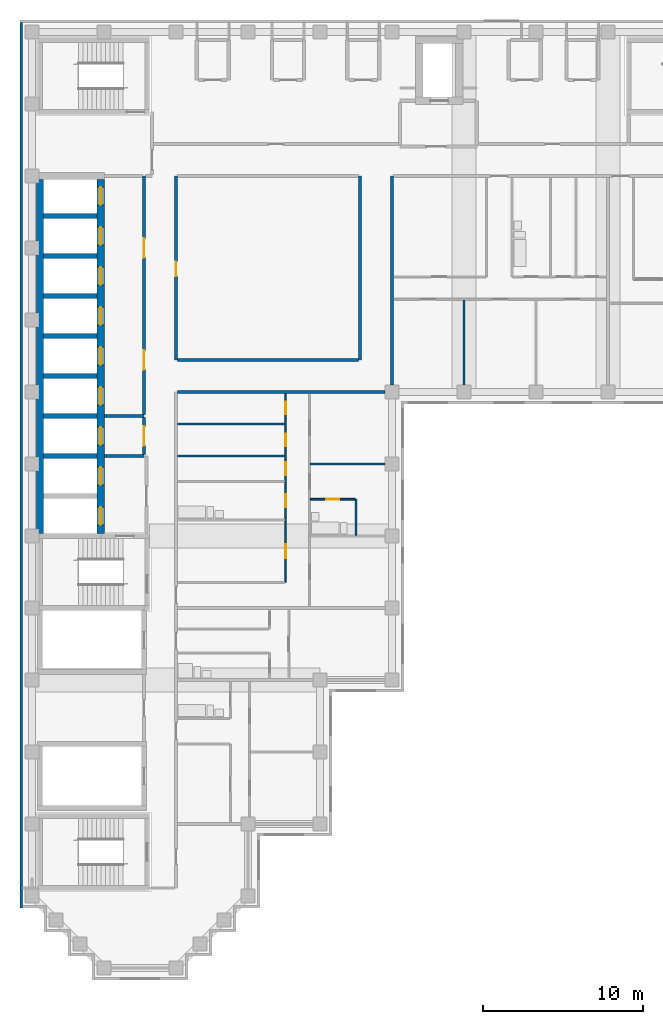
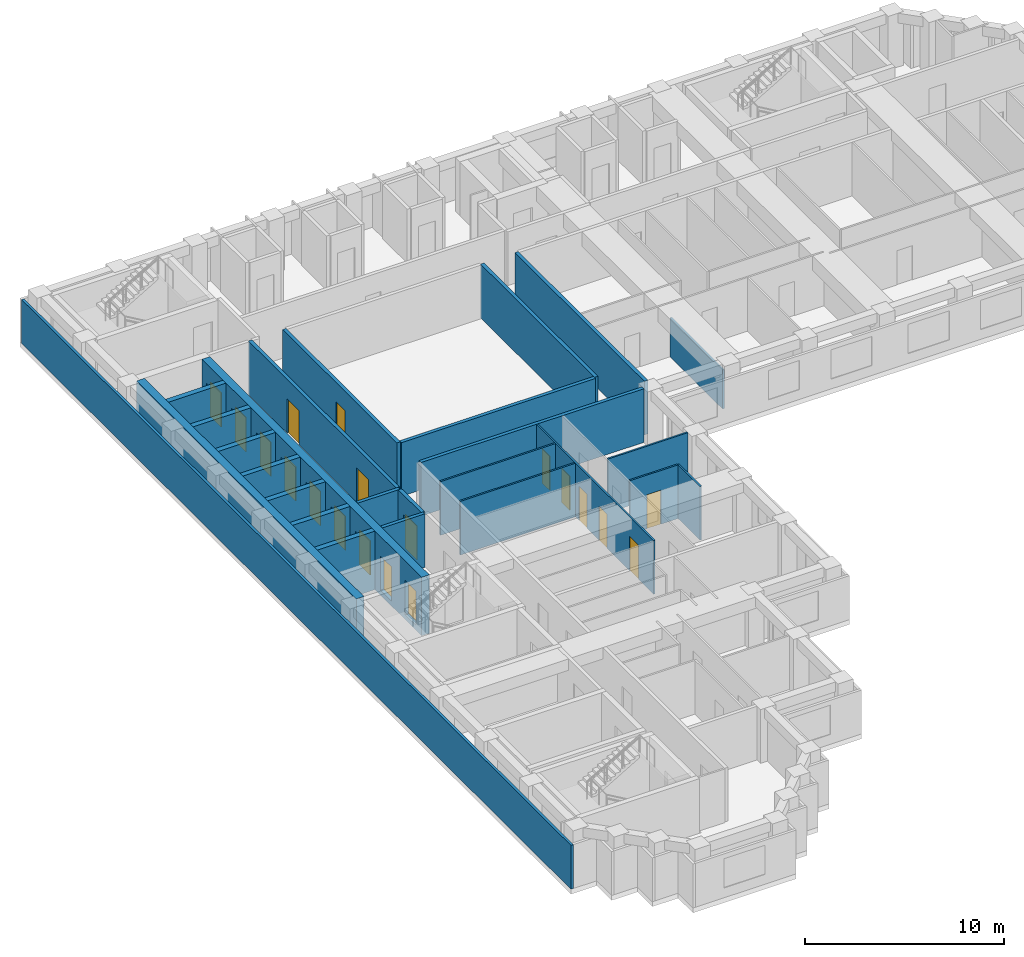
# One storey, part 4 of 10: 26 walls, 19 doors, 19 openings.
"""IFC4 building model written with IfcOpenShell, lengths in metres."""

import ifcopenshell
import ifcopenshell.guid

model = None  # the IFC model being written
_history = None  # IfcOwnerHistory: only IFC2X3 demands one
_inside = {}  # id of a spatial element -> (the spatial element, [elements in it])
_under = {}  # id of a project, library or spatial element -> (it, [spatial elements below it])
_declared = {}  # id of a project -> (the project, [libraries it declares])
_typed = {}  # id of a type object -> (the type object, [elements of that type])
_made_of = {}  # id of a material, layer set ... -> (it, [elements and type objects made of it])


def new_model(schema):
    """Start an empty IFC model of exactly this schema.

    Asked for "IFC4X3", IfcOpenShell would pick the latest addendum, in which some entities
    have other attributes; the version numbers below select the first issue.
    IFC2X3 requires an IfcOwnerHistory on every rooted entity: one is made here for all.
    """
    global model, _history
    if schema == "IFC4X3":
        model = ifcopenshell.file(schema_version=(4, 3, 0, 0))
    else:
        model = ifcopenshell.file(schema=schema)
    _inside.clear()
    _under.clear()
    _declared.clear()
    _typed.clear()
    _made_of.clear()
    _history = None
    if model.schema == "IFC2X3":
        org = make("IfcOrganization", Name="unknown")
        user = make(
            "IfcPersonAndOrganization",
            ThePerson=make("IfcPerson", FamilyName="unknown"),
            TheOrganization=org,
        )
        app = make(
            "IfcApplication",
            ApplicationDeveloper=org,
            Version="unknown",
            ApplicationFullName="unknown",
            ApplicationIdentifier="unknown",
        )
        _history = make(
            "IfcOwnerHistory",
            OwningUser=user,
            OwningApplication=app,
            ChangeAction="ADDED",
            CreationDate=0,
        )
    return model


def make(cls, **values):
    """One entity of the class cls with the attributes given. An attribute that is None is left unset."""
    return model.create_entity(
        cls, **{name: value for name, value in values.items() if value is not None}
    )


def rooted(cls, **values):
    """An entity with a GlobalId (a new one), such as an element, a storey or a relation."""
    return make(cls, GlobalId=ifcopenshell.guid.new(), OwnerHistory=_history, **values)


def si_unit(unit_type, name, prefix=None):
    """IfcSIUnit, for example si_unit("LENGTHUNIT", "METRE", prefix="MILLI")."""
    return make("IfcSIUnit", UnitType=unit_type, Prefix=prefix, Name=name)


def assignment(units):
    """IfcUnitAssignment: the units of a project."""
    return None if units is None else make("IfcUnitAssignment", Units=units)


def point(xyz):
    """IfcCartesianPoint."""
    return None if xyz is None else make("IfcCartesianPoint", Coordinates=xyz)


def direction(xyz):
    """IfcDirection."""
    return None if xyz is None else make("IfcDirection", DirectionRatios=xyz)


def frame(location, z_axis=None, x_axis=None):
    """IfcAxis2Placement3D, a coordinate frame: its origin and axes. An axis left out is left unset."""
    return make(
        "IfcAxis2Placement3D",
        Location=point(location),
        Axis=direction(z_axis),
        RefDirection=direction(x_axis),
    )


def frame_2d(location, x_axis=None):
    """IfcAxis2Placement2D, a coordinate frame in the plane: its origin and x axis."""
    return make(
        "IfcAxis2Placement2D", Location=point(location), RefDirection=direction(x_axis)
    )


def origin():
    """The frame at (0, 0, 0) with its axes left unset."""
    return frame((0.0, 0.0, 0.0))


def place(relative_to, where):
    """IfcLocalPlacement: puts the frame where relative to a parent placement (None: the world)."""
    return make(
        "IfcLocalPlacement", PlacementRelTo=relative_to, RelativePlacement=where
    )


def context(
    kind, dimensions, precision=None, world=None, true_north=None, identifier=None
):
    """IfcGeometricRepresentationContext, for example the 3D "Model" context."""
    return make(
        "IfcGeometricRepresentationContext",
        ContextIdentifier=identifier,
        ContextType=kind,
        CoordinateSpaceDimension=dimensions,
        Precision=precision,
        WorldCoordinateSystem=world,
        TrueNorth=true_north,
    )


def subcontext(parent, identifier, kind, view, scale=None):
    """IfcGeometricRepresentationSubContext, for example "Body" below "Model"."""
    return make(
        "IfcGeometricRepresentationSubContext",
        ContextIdentifier=identifier,
        ContextType=kind,
        ParentContext=parent,
        TargetScale=scale,
        TargetView=view,
    )


def project(units=None, contexts=None):
    """IfcProject with its units and contexts."""
    return rooted(
        "IfcProject",
        Name="project",
        RepresentationContexts=contexts,
        UnitsInContext=assignment(units),
    )


def spatial(cls, under=None, at=None, **own):
    """A site, building, storey or space (cls), placed at a placement, below another one or the project."""
    s = rooted(cls, ObjectPlacement=at, **own)
    if under is not None:
        _under.setdefault(under.id(), (under, []))[1].append(s)
    return s


def profile(cls, at=None, kind="AREA", **sizes):
    """A parametric profile (cls). Its sizes go by their IFC names, for example OverallWidth=200.0."""
    return make(cls, ProfileType=kind, Position=at, **sizes)


def rectangle(**sizes):
    """IfcRectangleProfileDef."""
    return profile("IfcRectangleProfileDef", **sizes)


def extrude(swept, where, along, depth):
    """IfcExtrudedAreaSolid: the profile swept, set in the frame where, extruded along a direction by depth."""
    return make(
        "IfcExtrudedAreaSolid",
        SweptArea=swept,
        Position=where,
        ExtrudedDirection=direction(along),
        Depth=depth,
    )


def shape(context_of_items, identifier, shape_type, items):
    """IfcShapeRepresentation: the items that make up one representation, for example the "Body"."""
    return make(
        "IfcShapeRepresentation",
        ContextOfItems=context_of_items,
        RepresentationIdentifier=identifier,
        RepresentationType=shape_type,
        Items=items,
    )


def material(Name=None, Category=None):
    """IfcMaterial."""
    return make("IfcMaterial", Name=Name, Category=Category)


def layer(
    of_material, thickness, ventilated=None, Name=None, Category=None, Priority=None
):
    """IfcMaterialLayer: one layer of a wall or slab, of a material (None: an air gap)."""
    return make(
        "IfcMaterialLayer",
        Material=of_material,
        LayerThickness=thickness,
        IsVentilated=ventilated,
        Name=Name,
        Category=Category,
        Priority=Priority,
    )


def layer_set(layers, Name=None):
    """IfcMaterialLayerSet."""
    return make("IfcMaterialLayerSet", MaterialLayers=layers, LayerSetName=Name)


def made_of(thing, what):
    """Note that an element or type object is made of a material, layer set ...; save() writes the relation."""
    if what is not None:
        _made_of.setdefault(what.id(), (what, []))[1].append(thing)
    return thing


def type_object(cls, material=None, **own):
    """A type object (cls), such as IfcWallType, which elements share."""
    return made_of(rooted(cls, **own), material)


def element(
    cls,
    number,
    at=None,
    inside=None,
    cuts=None,
    type_object=None,
    material=None,
    context=None,
    identifier="Body",
    shape_type=None,
    held_by="IfcProductDefinitionShape",
    body=None,
    shapes=None,
    **own,
):
    """One element of the class cls, such as IfcWall. Its Tag is "e" and its number.

    at: its placement. inside: the storey or other place that contains it. cuts: it is an
    opening in that element (IfcRelVoidsElement). A single representation is given by context,
    identifier, shape_type and body (its items); several are given by shapes. held_by: the class
    of the entity that holds the representations. save() writes the other relations.
    """
    e = rooted(cls, Tag="e%d" % number, ObjectPlacement=at, **own)
    if body is not None:
        shapes = [shape(context, identifier, shape_type, body)]
    if shapes is not None:
        e.Representation = make(held_by, Representations=shapes)
    if inside is not None:
        _inside.setdefault(inside.id(), (inside, []))[1].append(e)
    if cuts is not None:
        rooted(
            "IfcRelVoidsElement", RelatingBuildingElement=cuts, RelatedOpeningElement=e
        )
    if type_object is not None:
        _typed.setdefault(type_object.id(), (type_object, []))[1].append(e)
    return made_of(e, material)


def fill(opening, filler):
    """IfcRelFillsElement: the door or window that sits in an opening."""
    return rooted(
        "IfcRelFillsElement",
        RelatingOpeningElement=opening,
        RelatedBuildingElement=filler,
    )


def aggregate(whole, parts):
    """IfcRelAggregates: a whole, such as a stair, and the parts it consists of."""
    return rooted("IfcRelAggregates", RelatingObject=whole, RelatedObjects=parts)


def save(model, path):
    """Write the relations noted so far, then the file.

    IfcRelAggregates (storeys below a building ...), IfcRelContainedInSpatialStructure (elements
    in a storey), IfcRelDefinesByType, IfcRelAssociatesMaterial and IfcRelDeclares: one each for
    every whole, place, type object, material and project.
    """
    for whole, parts in _under.values():
        aggregate(whole, parts)
    for where, things in _inside.values():
        rooted(
            "IfcRelContainedInSpatialStructure",
            RelatedElements=things,
            RelatingStructure=where,
        )
    for kind, things in _typed.values():
        rooted("IfcRelDefinesByType", RelatedObjects=things, RelatingType=kind)
    for what, things in _made_of.values():
        rooted("IfcRelAssociatesMaterial", RelatedObjects=things, RelatingMaterial=what)
    for by, libraries in _declared.values():
        rooted("IfcRelDeclares", RelatingContext=by, RelatedDefinitions=libraries)
    model.write(path)


model = new_model("IFC4")

# Units and contexts
model_context = context("Model", 3, precision=1e-05, world=origin(), true_north=direction((0.0, 1.0)))
body_context = subcontext(model_context, "Body", "Model", "MODEL_VIEW")
ifc_project = project(units=[si_unit("LENGTHUNIT", "METRE"), si_unit("AREAUNIT", "SQUARE_METRE"), si_unit("VOLUMEUNIT", "CUBIC_METRE"), si_unit("PLANEANGLEUNIT", "RADIAN"), si_unit("MASSUNIT", "GRAM", prefix="KILO")], contexts=[model_context])

# Site, building, storey
site_placement = place(None, origin())
site = spatial("IfcSite", under=ifc_project, at=site_placement, CompositionType="ELEMENT")
building_placement = place(site_placement, origin())
building = spatial("IfcBuilding", under=site, at=building_placement, Name="Firuza Court", CompositionType="ELEMENT")
storey_placement = place(building_placement, frame((0.0, 0.0, 193.39990234375)))
storey = spatial("IfcBuildingStorey", under=building, at=storey_placement, Name="L49", CompositionType="ELEMENT", Elevation=193.39990234375)

# Wall
ifc_material_1 = material(Name="Moisture-resistant gypsum board partition")
ifc_layer_1 = layer(ifc_material_1, 0.10009765625)
ifc_layer_set_1 = layer_set([ifc_layer_1], Name="Moisture-resistant gypsum board partition")
wall_type_1 = type_object("IfcWallType", Name="Bathroom partition 100", PredefinedType="PLUMBINGWALL", material=ifc_layer_set_1)
wall_1_placement = place(storey_placement, frame((20.25, 27.050048828125, 0.0), z_axis=(0.0, 0.0, 1.0), x_axis=(0.0, 1.0, 0.0)))
element("IfcWall", 1, at=wall_1_placement, inside=storey, type_object=wall_type_1, Name="Bathroom partition 100 L49", PredefinedType="PLUMBINGWALL", context=body_context, shape_type="SweptSolid", body=[
    extrude(rectangle(XDim=2.25, YDim=0.10009765625, at=frame_2d((1.125, 0.0))), origin(), (0.0, 0.0, 1.0), 3.300048828125),
])

# Wall, opening, door
wall_2_placement = place(storey_placement, frame((17.39990234375, 29.300048828125, 0.0), z_axis=(0.0, 0.0, 1.0), x_axis=(1.0, 0.0, 0.0)))
wall_2 = element("IfcWall", 2, at=wall_2_placement, inside=storey, type_object=wall_type_1, Name="Bathroom partition 100 L49", PredefinedType="PLUMBINGWALL", context=body_context, shape_type="SweptSolid", body=[
    extrude(rectangle(XDim=2.800048828125, YDim=0.10009765625, at=frame_2d((1.39990234375, 0.0))), origin(), (0.0, 0.0, 1.0), 3.300048828125),
])
opening_1_placement = place(wall_2_placement, frame((1.0, 0.0, 0.0)))
opening_1 = element("IfcOpeningElement", 3, at=opening_1_placement, cuts=wall_2, Name="Opening D49036", PredefinedType="OPENING", context=body_context, shape_type="SweptSolid", body=[
    extrude(rectangle(XDim=0.800048828125, YDim=2.10009765625, at=frame_2d((0.39990234375, 1.050048828125))), frame((0.0, 0.06201171875, 0.0), z_axis=(0.0, -1.0, 0.0), x_axis=(1.0, 0.0, 0.0)), (0.0, 0.0, 1.0), 0.1240234375),
])
ifc_material_2 = material(Name="Timber door leaf in hardwood frame", Category="wood")
door_type_1 = type_object("IfcDoorType", Name="Bathroom door 800", OperationType="SINGLE_SWING_LEFT", PredefinedType="DOOR", material=ifc_material_2)
door_1_placement = place(opening_1_placement, frame((0.800048828125, 0.0, 0.0), z_axis=(0.0, 0.0, 1.0), x_axis=(-1.0, 0.0, 0.0)))
door_1 = element("IfcDoor", 4, at=door_1_placement, inside=storey, type_object=door_type_1, Name="En-suite door", OperationType="SINGLE_SWING_RIGHT", OverallHeight=2.10009765625, OverallWidth=0.800048828125, PredefinedType="DOOR", context=body_context, shape_type="SweptSolid", body=[
    extrude(rectangle(XDim=0.800048828125, YDim=2.10009765625, at=frame_2d((0.39990234375, 1.050048828125))), frame((0.0, 0.02490234375, 0.0), z_axis=(0.0, -1.0, 0.0), x_axis=(1.0, 0.0, 0.0)), (0.0, 0.0, 1.0), 0.050048828125),
])
fill(opening_1, door_1)

# Walls
ifc_material_3 = material(Name="Concrete C50/60", Category="concrete")
ifc_layer_2 = layer(ifc_material_3, 0.300048828125)
ifc_layer_set_2 = layer_set([ifc_layer_2], Name="Concrete C50/60")
wall_type_2 = type_object("IfcWallType", Name="Core wall 300 C50/60", PredefinedType="SHEAR", material=ifc_layer_set_2)
for number, where, z_axis, x_axis, name in (
    (5, (0.72509765625, 32.0, -0.2998046875), (0.0, 0.0, 1.0), (1.0, 0.0, 0.0), "Core wall lift shaft L49"),
    (6, (0.72509765625, 34.5, -0.2998046875), (0.0, 0.0, 1.0), (1.0, 0.0, 0.0), "Core wall lift shaft L49"),
    (7, (0.72509765625, 37.0, -0.2998046875), (0.0, 0.0, 1.0), (1.0, 0.0, 0.0), "Core wall lift shaft L49"),
    (8, (0.72509765625, 39.5, -0.2998046875), (0.0, 0.0, 1.0), (1.0, 0.0, 0.0), "Core wall lift shaft L49"),
    (9, (0.72509765625, 42.0, -0.2998046875), (0.0, 0.0, 1.0), (1.0, 0.0, 0.0), "Core wall lift shaft L49"),
    (10, (0.72509765625, 44.5, -0.2998046875), (0.0, 0.0, 1.0), (1.0, 0.0, 0.0), "Core wall lift shaft L49"),
    (11, (0.72509765625, 47.0, -0.2998046875), (0.0, 0.0, 1.0), (1.0, 0.0, 0.0), "Core wall lift shaft L49"),
):
    element("IfcWall", number, at=place(storey_placement, frame(where, z_axis=z_axis, x_axis=x_axis)), inside=storey, type_object=wall_type_2, Name=name, PredefinedType="SHEAR", context=body_context, shape_type="SweptSolid", body=[
        extrude(rectangle(XDim=3.349853515625, YDim=0.300048828125, at=frame_2d((1.6748046875, 0.0))), origin(), (0.0, 0.0, 1.0), 3.599853515625),
    ])
ifc_layer_3 = layer(ifc_material_3, 0.449951171875)
ifc_layer_set_3 = layer_set([ifc_layer_3], Name="Concrete C50/60")
wall_type_3 = type_object("IfcWallType", Name="Core wall 450 C50/60", PredefinedType="SHEAR", material=ifc_layer_set_3)
wall_3_placement = place(storey_placement, frame((0.5, 27.14990234375, -0.2998046875), z_axis=(0.0, 0.0, 1.0), x_axis=(0.0, 1.0, 0.0)))
element("IfcWall", 12, at=wall_3_placement, inside=storey, type_object=wall_type_3, Name="Core wall lift shaft L49", PredefinedType="SHEAR", context=body_context, shape_type="SweptSolid", body=[
    extrude(rectangle(XDim=22.125, YDim=0.449951171875, at=frame_2d((11.0625, 0.0))), origin(), (0.0, 0.0, 1.0), 3.599853515625),
])

# Wall, openings, doors
wall_4_placement = place(storey_placement, frame((4.300048828125, 27.14990234375, -0.2998046875), z_axis=(0.0, 0.0, 1.0), x_axis=(0.0, 1.0, 0.0)))
wall_4 = element("IfcWall", 13, at=wall_4_placement, inside=storey, type_object=wall_type_3, Name="Core wall lift shaft L49", PredefinedType="SHEAR", context=body_context, shape_type="SweptSolid", body=[
    extrude(rectangle(XDim=22.125, YDim=0.449951171875, at=frame_2d((11.0625, 0.0))), origin(), (0.0, 0.0, 1.0), 3.599853515625),
])
opening_2_placement = place(wall_4_placement, frame((3.050048828125, 0.0, 0.300048828125)))
opening_2 = element("IfcOpeningElement", 14, at=opening_2_placement, cuts=wall_4, Name="Opening LD-FL1-49", PredefinedType="OPENING", context=body_context, shape_type="SweptSolid", body=[
    extrude(rectangle(XDim=1.10009765625, YDim=2.10009765625, at=frame_2d((0.550048828125, 1.050048828125))), frame((0.0, 0.23681640625, 0.0), z_axis=(0.0, -1.0, 0.0), x_axis=(1.0, 0.0, 0.0)), (0.0, 0.0, 1.0), 0.473876953125),
])
opening_3_placement = place(wall_4_placement, frame((0.550048828125, 0.0, 0.300048828125)))
opening_3 = element("IfcOpeningElement", 15, at=opening_3_placement, cuts=wall_4, Name="Opening LD-FL2-49", PredefinedType="OPENING", context=body_context, shape_type="SweptSolid", body=[
    extrude(rectangle(XDim=1.10009765625, YDim=2.10009765625, at=frame_2d((0.550048828125, 1.050048828125))), frame((0.0, 0.23681640625, 0.0), z_axis=(0.0, -1.0, 0.0), x_axis=(1.0, 0.0, 0.0)), (0.0, 0.0, 1.0), 0.473876953125),
])
opening_4_placement = place(wall_4_placement, frame((20.550048828125, 0.0, 0.300048828125)))
opening_4 = element("IfcOpeningElement", 16, at=opening_4_placement, cuts=wall_4, Name="Opening LD-HB1-49", PredefinedType="OPENING", context=body_context, shape_type="SweptSolid", body=[
    extrude(rectangle(XDim=1.10009765625, YDim=2.10009765625, at=frame_2d((0.550048828125, 1.050048828125))), frame((0.0, 0.23681640625, 0.0), z_axis=(0.0, -1.0, 0.0), x_axis=(1.0, 0.0, 0.0)), (0.0, 0.0, 1.0), 0.473876953125),
])
opening_5_placement = place(wall_4_placement, frame((18.050048828125, 0.0, 0.300048828125)))
opening_5 = element("IfcOpeningElement", 17, at=opening_5_placement, cuts=wall_4, Name="Opening LD-HB2-49", PredefinedType="OPENING", context=body_context, shape_type="SweptSolid", body=[
    extrude(rectangle(XDim=1.10009765625, YDim=2.10009765625, at=frame_2d((0.550048828125, 1.050048828125))), frame((0.0, 0.23681640625, 0.0), z_axis=(0.0, -1.0, 0.0), x_axis=(1.0, 0.0, 0.0)), (0.0, 0.0, 1.0), 0.473876953125),
])
opening_6_placement = place(wall_4_placement, frame((15.550048828125, 0.0, 0.300048828125)))
opening_6 = element("IfcOpeningElement", 18, at=opening_6_placement, cuts=wall_4, Name="Opening LD-HB3-49", PredefinedType="OPENING", context=body_context, shape_type="SweptSolid", body=[
    extrude(rectangle(XDim=1.10009765625, YDim=2.10009765625, at=frame_2d((0.550048828125, 1.050048828125))), frame((0.0, 0.23681640625, 0.0), z_axis=(0.0, -1.0, 0.0), x_axis=(1.0, 0.0, 0.0)), (0.0, 0.0, 1.0), 0.473876953125),
])
opening_7_placement = place(wall_4_placement, frame((13.050048828125, 0.0, 0.300048828125)))
opening_7 = element("IfcOpeningElement", 19, at=opening_7_placement, cuts=wall_4, Name="Opening LD-HB4-49", PredefinedType="OPENING", context=body_context, shape_type="SweptSolid", body=[
    extrude(rectangle(XDim=1.10009765625, YDim=2.10009765625, at=frame_2d((0.550048828125, 1.050048828125))), frame((0.0, 0.23681640625, 0.0), z_axis=(0.0, -1.0, 0.0), x_axis=(1.0, 0.0, 0.0)), (0.0, 0.0, 1.0), 0.473876953125),
])
opening_8_placement = place(wall_4_placement, frame((10.550048828125, 0.0, 0.300048828125)))
opening_8 = element("IfcOpeningElement", 20, at=opening_8_placement, cuts=wall_4, Name="Opening LD-HB5-49", PredefinedType="OPENING", context=body_context, shape_type="SweptSolid", body=[
    extrude(rectangle(XDim=1.10009765625, YDim=2.10009765625, at=frame_2d((0.550048828125, 1.050048828125))), frame((0.0, 0.23681640625, 0.0), z_axis=(0.0, -1.0, 0.0), x_axis=(1.0, 0.0, 0.0)), (0.0, 0.0, 1.0), 0.473876953125),
])
opening_9_placement = place(wall_4_placement, frame((8.050048828125, 0.0, 0.300048828125)))
opening_9 = element("IfcOpeningElement", 21, at=opening_9_placement, cuts=wall_4, Name="Opening LD-HB6-49", PredefinedType="OPENING", context=body_context, shape_type="SweptSolid", body=[
    extrude(rectangle(XDim=1.10009765625, YDim=2.10009765625, at=frame_2d((0.550048828125, 1.050048828125))), frame((0.0, 0.23681640625, 0.0), z_axis=(0.0, -1.0, 0.0), x_axis=(1.0, 0.0, 0.0)), (0.0, 0.0, 1.0), 0.473876953125),
])
opening_10_placement = place(wall_4_placement, frame((5.550048828125, 0.0, 0.300048828125)))
opening_10 = element("IfcOpeningElement", 22, at=opening_10_placement, cuts=wall_4, Name="Opening LD-SL1-49", PredefinedType="OPENING", context=body_context, shape_type="SweptSolid", body=[
    extrude(rectangle(XDim=1.10009765625, YDim=2.10009765625, at=frame_2d((0.550048828125, 1.050048828125))), frame((0.0, 0.23681640625, 0.0), z_axis=(0.0, -1.0, 0.0), x_axis=(1.0, 0.0, 0.0)), (0.0, 0.0, 1.0), 0.473876953125),
])
ifc_material_4 = material(Name="Stainless steel 1.4301 door leaf", Category="steel")
door_type_2 = type_object("IfcDoorType", Name="Lift landing door 1100", OperationType="SLIDING_TO_LEFT", PredefinedType="DOOR", material=ifc_material_4)
door_2_placement = place(opening_2_placement, origin())
door_2 = element("IfcDoor", 23, at=door_2_placement, inside=storey, type_object=door_type_2, Name="Landing door FL1", OperationType="SLIDING_TO_LEFT", OverallHeight=2.10009765625, OverallWidth=1.10009765625, PredefinedType="DOOR", context=body_context, shape_type="SweptSolid", body=[
    extrude(rectangle(XDim=1.10009765625, YDim=2.10009765625, at=frame_2d((0.550048828125, 1.050048828125))), frame((0.0, 0.02490234375, 0.0), z_axis=(0.0, -1.0, 0.0), x_axis=(1.0, 0.0, 0.0)), (0.0, 0.0, 1.0), 0.050048828125),
])
fill(opening_2, door_2)
door_3_placement = place(opening_3_placement, origin())
door_3 = element("IfcDoor", 24, at=door_3_placement, inside=storey, type_object=door_type_2, Name="Landing door FL2", OperationType="SLIDING_TO_LEFT", OverallHeight=2.10009765625, OverallWidth=1.10009765625, PredefinedType="DOOR", context=body_context, shape_type="SweptSolid", body=[
    extrude(rectangle(XDim=1.10009765625, YDim=2.10009765625, at=frame_2d((0.550048828125, 1.050048828125))), frame((0.0, 0.02490234375, 0.0), z_axis=(0.0, -1.0, 0.0), x_axis=(1.0, 0.0, 0.0)), (0.0, 0.0, 1.0), 0.050048828125),
])
fill(opening_3, door_3)
door_4_placement = place(opening_4_placement, origin())
door_4 = element("IfcDoor", 25, at=door_4_placement, inside=storey, type_object=door_type_2, Name="Landing door HB1", OperationType="SLIDING_TO_LEFT", OverallHeight=2.10009765625, OverallWidth=1.10009765625, PredefinedType="DOOR", context=body_context, shape_type="SweptSolid", body=[
    extrude(rectangle(XDim=1.10009765625, YDim=2.10009765625, at=frame_2d((0.550048828125, 1.050048828125))), frame((0.0, 0.02490234375, 0.0), z_axis=(0.0, -1.0, 0.0), x_axis=(1.0, 0.0, 0.0)), (0.0, 0.0, 1.0), 0.050048828125),
])
fill(opening_4, door_4)
door_5_placement = place(opening_5_placement, origin())
door_5 = element("IfcDoor", 26, at=door_5_placement, inside=storey, type_object=door_type_2, Name="Landing door HB2", OperationType="SLIDING_TO_LEFT", OverallHeight=2.10009765625, OverallWidth=1.10009765625, PredefinedType="DOOR", context=body_context, shape_type="SweptSolid", body=[
    extrude(rectangle(XDim=1.10009765625, YDim=2.10009765625, at=frame_2d((0.550048828125, 1.050048828125))), frame((0.0, 0.02490234375, 0.0), z_axis=(0.0, -1.0, 0.0), x_axis=(1.0, 0.0, 0.0)), (0.0, 0.0, 1.0), 0.050048828125),
])
fill(opening_5, door_5)
door_6_placement = place(opening_6_placement, origin())
door_6 = element("IfcDoor", 27, at=door_6_placement, inside=storey, type_object=door_type_2, Name="Landing door HB3", OperationType="SLIDING_TO_LEFT", OverallHeight=2.10009765625, OverallWidth=1.10009765625, PredefinedType="DOOR", context=body_context, shape_type="SweptSolid", body=[
    extrude(rectangle(XDim=1.10009765625, YDim=2.10009765625, at=frame_2d((0.550048828125, 1.050048828125))), frame((0.0, 0.02490234375, 0.0), z_axis=(0.0, -1.0, 0.0), x_axis=(1.0, 0.0, 0.0)), (0.0, 0.0, 1.0), 0.050048828125),
])
fill(opening_6, door_6)
door_7_placement = place(opening_7_placement, origin())
door_7 = element("IfcDoor", 28, at=door_7_placement, inside=storey, type_object=door_type_2, Name="Landing door HB4", OperationType="SLIDING_TO_LEFT", OverallHeight=2.10009765625, OverallWidth=1.10009765625, PredefinedType="DOOR", context=body_context, shape_type="SweptSolid", body=[
    extrude(rectangle(XDim=1.10009765625, YDim=2.10009765625, at=frame_2d((0.550048828125, 1.050048828125))), frame((0.0, 0.02490234375, 0.0), z_axis=(0.0, -1.0, 0.0), x_axis=(1.0, 0.0, 0.0)), (0.0, 0.0, 1.0), 0.050048828125),
])
fill(opening_7, door_7)
door_8_placement = place(opening_8_placement, origin())
door_8 = element("IfcDoor", 29, at=door_8_placement, inside=storey, type_object=door_type_2, Name="Landing door HB5", OperationType="SLIDING_TO_LEFT", OverallHeight=2.10009765625, OverallWidth=1.10009765625, PredefinedType="DOOR", context=body_context, shape_type="SweptSolid", body=[
    extrude(rectangle(XDim=1.10009765625, YDim=2.10009765625, at=frame_2d((0.550048828125, 1.050048828125))), frame((0.0, 0.02490234375, 0.0), z_axis=(0.0, -1.0, 0.0), x_axis=(1.0, 0.0, 0.0)), (0.0, 0.0, 1.0), 0.050048828125),
])
fill(opening_8, door_8)
door_9_placement = place(opening_9_placement, origin())
door_9 = element("IfcDoor", 30, at=door_9_placement, inside=storey, type_object=door_type_2, Name="Landing door HB6", OperationType="SLIDING_TO_LEFT", OverallHeight=2.10009765625, OverallWidth=1.10009765625, PredefinedType="DOOR", context=body_context, shape_type="SweptSolid", body=[
    extrude(rectangle(XDim=1.10009765625, YDim=2.10009765625, at=frame_2d((0.550048828125, 1.050048828125))), frame((0.0, 0.02490234375, 0.0), z_axis=(0.0, -1.0, 0.0), x_axis=(1.0, 0.0, 0.0)), (0.0, 0.0, 1.0), 0.050048828125),
])
fill(opening_9, door_9)
door_10_placement = place(opening_10_placement, origin())
door_10 = element("IfcDoor", 31, at=door_10_placement, inside=storey, type_object=door_type_2, Name="Landing door SL1", OperationType="SLIDING_TO_LEFT", OverallHeight=2.10009765625, OverallWidth=1.10009765625, PredefinedType="DOOR", context=body_context, shape_type="SweptSolid", body=[
    extrude(rectangle(XDim=1.10009765625, YDim=2.10009765625, at=frame_2d((0.550048828125, 1.050048828125))), frame((0.0, 0.02490234375, 0.0), z_axis=(0.0, -1.0, 0.0), x_axis=(1.0, 0.0, 0.0)), (0.0, 0.0, 1.0), 0.050048828125),
])
fill(opening_10, door_10)

# Wall, opening, door
ifc_material_5 = material(Name="Blockwork, plastered both sides", Category="masonry")
ifc_layer_4 = layer(ifc_material_5, 0.199951171875)
ifc_layer_set_4 = layer_set([ifc_layer_4], Name="Blockwork, plastered both sides")
wall_type_4 = type_object("IfcWallType", Name="Corridor wall 200", PredefinedType="PARTITIONING", material=ifc_layer_set_4)
wall_5_placement = place(storey_placement, frame((9.0, 38.0, 0.0), z_axis=(0.0, 0.0, 1.0), x_axis=(0.0, 1.0, 0.0)))
wall_5 = element("IfcWall", 32, at=wall_5_placement, inside=storey, type_object=wall_type_4, Name="Corridor wall 200 L49", PredefinedType="PARTITIONING", context=body_context, shape_type="SweptSolid", body=[
    extrude(rectangle(XDim=11.5, YDim=0.199951171875, at=frame_2d((5.75, 0.0))), origin(), (0.0, 0.0, 1.0), 3.300048828125),
])
opening_11_placement = place(wall_5_placement, frame((5.25, 0.0, 0.0)))
opening_11 = element("IfcOpeningElement", 33, at=opening_11_placement, cuts=wall_5, Name="Opening D49037", PredefinedType="OPENING", context=body_context, shape_type="SweptSolid", body=[
    extrude(rectangle(XDim=0.89990234375, YDim=2.10009765625, at=frame_2d((0.449951171875, 1.050048828125))), frame((0.0, 0.11181640625, 0.0), z_axis=(0.0, -1.0, 0.0), x_axis=(1.0, 0.0, 0.0)), (0.0, 0.0, 1.0), 0.223876953125),
])
ifc_material_6 = material(Name="Timber door leaf in hardwood frame", Category="wood")
door_type_3 = type_object("IfcDoorType", Name="Room door 900 EI 30", OperationType="SINGLE_SWING_LEFT", PredefinedType="DOOR", material=ifc_material_6)
door_11_placement = place(opening_11_placement, origin())
door_11 = element("IfcDoor", 34, at=door_11_placement, inside=storey, type_object=door_type_3, Name="Residents' club lounge door", OperationType="SINGLE_SWING_LEFT", OverallHeight=2.10009765625, OverallWidth=0.89990234375, PredefinedType="DOOR", context=body_context, shape_type="SweptSolid", body=[
    extrude(rectangle(XDim=0.89990234375, YDim=2.10009765625, at=frame_2d((0.449951171875, 1.050048828125))), frame((0.0, 0.02490234375, 0.0), z_axis=(0.0, -1.0, 0.0), x_axis=(1.0, 0.0, 0.0)), (0.0, 0.0, 1.0), 0.050048828125),
])
fill(opening_11, door_11)

# Walls
wall_6_placement = place(storey_placement, frame((9.10009765625, 38.0, 0.0), z_axis=(0.0, 0.0, 1.0), x_axis=(1.0, 0.0, 0.0)))
element("IfcWall", 35, at=wall_6_placement, inside=storey, type_object=wall_type_4, Name="Corridor wall 200 L49", PredefinedType="PARTITIONING", context=body_context, shape_type="SweptSolid", body=[
    extrude(rectangle(XDim=11.2998046875, YDim=0.199951171875, at=frame_2d((5.64990234375, 0.0))), origin(), (0.0, 0.0, 1.0), 3.300048828125),
])
wall_7_placement = place(storey_placement, frame((20.5, 38.0, 0.0), z_axis=(0.0, 0.0, 1.0), x_axis=(0.0, 1.0, 0.0)))
element("IfcWall", 36, at=wall_7_placement, inside=storey, type_object=wall_type_4, Name="Corridor wall 200 L49", PredefinedType="PARTITIONING", context=body_context, shape_type="SweptSolid", body=[
    extrude(rectangle(XDim=11.5, YDim=0.199951171875, at=frame_2d((5.75, 0.0))), origin(), (0.0, 0.0, 1.0), 3.300048828125),
])

# Wall, openings, doors
ifc_material_7 = material(Name="Timber stud partition, plasterboard both sides", Category="wood")
ifc_layer_5 = layer(ifc_material_7, 0.10009765625)
ifc_layer_set_5 = layer_set([ifc_layer_5], Name="Timber stud partition, plasterboard both sides")
wall_type_5 = type_object("IfcWallType", Name="Partition wall 100", PredefinedType="PARTITIONING", material=ifc_layer_set_5)
wall_8_placement = place(storey_placement, frame((15.85009765625, 24.10009765625, 0.0), z_axis=(0.0, 0.0, 1.0), x_axis=(0.0, 1.0, 0.0)))
wall_8 = element("IfcWall", 37, at=wall_8_placement, inside=storey, type_object=wall_type_5, Name="Partition wall 100 L49", PredefinedType="PARTITIONING", context=body_context, shape_type="SweptSolid", body=[
    extrude(rectangle(XDim=11.7998046875, YDim=0.10009765625, at=frame_2d((5.89990234375, 0.0))), origin(), (0.0, 0.0, 1.0), 3.300048828125),
])
opening_12_placement = place(wall_8_placement, frame((4.699951171875, 0.0, 0.0)))
opening_12 = element("IfcOpeningElement", 38, at=opening_12_placement, cuts=wall_8, Name="Opening D49031", PredefinedType="OPENING", context=body_context, shape_type="SweptSolid", body=[
    extrude(rectangle(XDim=0.800048828125, YDim=2.10009765625, at=frame_2d((0.39990234375, 1.050048828125))), frame((0.0, 0.06201171875, 0.0), z_axis=(0.0, -1.0, 0.0), x_axis=(1.0, 0.0, 0.0)), (0.0, 0.0, 1.0), 0.1240234375),
])
opening_13_placement = place(wall_8_placement, frame((1.5, 0.0, 0.0)))
opening_13 = element("IfcOpeningElement", 39, at=opening_13_placement, cuts=wall_8, Name="Opening D49032", PredefinedType="OPENING", context=body_context, shape_type="SweptSolid", body=[
    extrude(rectangle(XDim=0.89990234375, YDim=2.10009765625, at=frame_2d((0.449951171875, 1.050048828125))), frame((0.0, 0.06201171875, 0.0), z_axis=(0.0, -1.0, 0.0), x_axis=(1.0, 0.0, 0.0)), (0.0, 0.0, 1.0), 0.1240234375),
])
opening_14_placement = place(wall_8_placement, frame((10.5, 0.0, 0.0)))
opening_14 = element("IfcOpeningElement", 40, at=opening_14_placement, cuts=wall_8, Name="Opening D49033", PredefinedType="OPENING", context=body_context, shape_type="SweptSolid", body=[
    extrude(rectangle(XDim=0.800048828125, YDim=2.10009765625, at=frame_2d((0.39990234375, 1.050048828125))), frame((0.0, 0.06201171875, 0.0), z_axis=(0.0, -1.0, 0.0), x_axis=(1.0, 0.0, 0.0)), (0.0, 0.0, 1.0), 0.1240234375),
])
opening_15_placement = place(wall_8_placement, frame((6.699951171875, 0.0, 0.0)))
opening_15 = element("IfcOpeningElement", 41, at=opening_15_placement, cuts=wall_8, Name="Opening D49034", PredefinedType="OPENING", context=body_context, shape_type="SweptSolid", body=[
    extrude(rectangle(XDim=0.800048828125, YDim=2.10009765625, at=frame_2d((0.39990234375, 1.050048828125))), frame((0.0, 0.06201171875, 0.0), z_axis=(0.0, -1.0, 0.0), x_axis=(1.0, 0.0, 0.0)), (0.0, 0.0, 1.0), 0.1240234375),
])
opening_16_placement = place(wall_8_placement, frame((8.5, 0.0, 0.0)))
opening_16 = element("IfcOpeningElement", 42, at=opening_16_placement, cuts=wall_8, Name="Opening D49035", PredefinedType="OPENING", context=body_context, shape_type="SweptSolid", body=[
    extrude(rectangle(XDim=0.800048828125, YDim=2.10009765625, at=frame_2d((0.39990234375, 1.050048828125))), frame((0.0, 0.06201171875, 0.0), z_axis=(0.0, -1.0, 0.0), x_axis=(1.0, 0.0, 0.0)), (0.0, 0.0, 1.0), 0.1240234375),
])
door_12_placement = place(opening_12_placement, origin())
door_12 = element("IfcDoor", 43, at=door_12_placement, inside=storey, type_object=door_type_1, Name="Bathroom door", OperationType="SINGLE_SWING_LEFT", OverallHeight=2.10009765625, OverallWidth=0.800048828125, PredefinedType="DOOR", context=body_context, shape_type="SweptSolid", body=[
    extrude(rectangle(XDim=0.800048828125, YDim=2.10009765625, at=frame_2d((0.39990234375, 1.050048828125))), frame((0.0, 0.02490234375, 0.0), z_axis=(0.0, -1.0, 0.0), x_axis=(1.0, 0.0, 0.0)), (0.0, 0.0, 1.0), 0.050048828125),
])
fill(opening_12, door_12)
ifc_material_8 = material(Name="Timber door leaf in hardwood frame", Category="wood")
door_type_4 = type_object("IfcDoorType", Name="Room door 800", OperationType="SINGLE_SWING_LEFT", PredefinedType="DOOR", material=ifc_material_8)
door_13_placement = place(opening_14_placement, origin())
door_13 = element("IfcDoor", 44, at=door_13_placement, inside=storey, type_object=door_type_4, Name="Pantry door", OperationType="SINGLE_SWING_LEFT", OverallHeight=2.10009765625, OverallWidth=0.800048828125, PredefinedType="DOOR", context=body_context, shape_type="SweptSolid", body=[
    extrude(rectangle(XDim=0.800048828125, YDim=2.10009765625, at=frame_2d((0.39990234375, 1.050048828125))), frame((0.0, 0.02490234375, 0.0), z_axis=(0.0, -1.0, 0.0), x_axis=(1.0, 0.0, 0.0)), (0.0, 0.0, 1.0), 0.050048828125),
])
fill(opening_14, door_13)
door_14_placement = place(opening_15_placement, origin())
door_14 = element("IfcDoor", 45, at=door_14_placement, inside=storey, type_object=door_type_4, Name="Store door", OperationType="SINGLE_SWING_LEFT", OverallHeight=2.10009765625, OverallWidth=0.800048828125, PredefinedType="DOOR", context=body_context, shape_type="SweptSolid", body=[
    extrude(rectangle(XDim=0.800048828125, YDim=2.10009765625, at=frame_2d((0.39990234375, 1.050048828125))), frame((0.0, 0.02490234375, 0.0), z_axis=(0.0, -1.0, 0.0), x_axis=(1.0, 0.0, 0.0)), (0.0, 0.0, 1.0), 0.050048828125),
])
fill(opening_15, door_14)
door_15_placement = place(opening_16_placement, origin())
door_15 = element("IfcDoor", 46, at=door_15_placement, inside=storey, type_object=door_type_4, Name="Utility room door", OperationType="SINGLE_SWING_LEFT", OverallHeight=2.10009765625, OverallWidth=0.800048828125, PredefinedType="DOOR", context=body_context, shape_type="SweptSolid", body=[
    extrude(rectangle(XDim=0.800048828125, YDim=2.10009765625, at=frame_2d((0.39990234375, 1.050048828125))), frame((0.0, 0.02490234375, 0.0), z_axis=(0.0, -1.0, 0.0), x_axis=(1.0, 0.0, 0.0)), (0.0, 0.0, 1.0), 0.050048828125),
])
fill(opening_16, door_15)
ifc_material_9 = material(Name="Timber door leaf in hardwood frame", Category="wood")
door_type_5 = type_object("IfcDoorType", Name="Room door 900", OperationType="SINGLE_SWING_LEFT", PredefinedType="DOOR", material=ifc_material_9)
door_16_placement = place(opening_13_placement, origin())
door_16 = element("IfcDoor", 47, at=door_16_placement, inside=storey, type_object=door_type_5, Name="Kitchen door", OperationType="SINGLE_SWING_LEFT", OverallHeight=2.10009765625, OverallWidth=0.89990234375, PredefinedType="DOOR", context=body_context, shape_type="SweptSolid", body=[
    extrude(rectangle(XDim=0.89990234375, YDim=2.10009765625, at=frame_2d((0.449951171875, 1.050048828125))), frame((0.0, 0.02490234375, 0.0), z_axis=(0.0, -1.0, 0.0), x_axis=(1.0, 0.0, 0.0)), (0.0, 0.0, 1.0), 0.050048828125),
])
fill(opening_13, door_16)

# Walls
wall_9_placement = place(storey_placement, frame((17.39990234375, 31.5, 0.0), z_axis=(0.0, 0.0, 1.0), x_axis=(1.0, 0.0, 0.0)))
element("IfcWall", 48, at=wall_9_placement, inside=storey, type_object=wall_type_5, Name="Partition wall 100 L49", PredefinedType="PARTITIONING", context=body_context, shape_type="SweptSolid", body=[
    extrude(rectangle(XDim=4.650146484375, YDim=0.10009765625, at=frame_2d((2.3251953125, 0.0))), origin(), (0.0, 0.0, 1.0), 3.300048828125),
])
for number, where, z_axis, x_axis, name in (
    (49, (9.10009765625, 32.0, 0.0), (0.0, 0.0, 1.0), (1.0, 0.0, 0.0), "Partition wall 100 L49"),
    (50, (9.10009765625, 34.0, 0.0), (0.0, 0.0, 1.0), (1.0, 0.0, 0.0), "Partition wall 100 L49"),
):
    element("IfcWall", number, at=place(storey_placement, frame(where, z_axis=z_axis, x_axis=x_axis)), inside=storey, type_object=wall_type_5, Name=name, PredefinedType="PARTITIONING", context=body_context, shape_type="SweptSolid", body=[
        extrude(rectangle(XDim=6.699951171875, YDim=0.10009765625, at=frame_2d((3.35009765625, 0.0))), origin(), (0.0, 0.0, 1.0), 3.300048828125),
    ])
wall_10_placement = place(storey_placement, frame((27.0, 36.449951171875, 0.0), z_axis=(0.0, 0.0, 1.0), x_axis=(0.0, 1.0, 0.0)))
element("IfcWall", 51, at=wall_10_placement, inside=storey, type_object=wall_type_5, Name="Partition wall 100 L49", PredefinedType="PARTITIONING", context=body_context, shape_type="SweptSolid", body=[
    extrude(rectangle(XDim=5.300048828125, YDim=0.10009765625, at=frame_2d((2.64990234375, 0.0))), origin(), (0.0, 0.0, 1.0), 2.400146484375),
])
ifc_layer_6 = layer(ifc_material_5, 0.199951171875)
ifc_layer_set_6 = layer_set([ifc_layer_6], Name="Blockwork, plastered both sides")
wall_type_6 = type_object("IfcWallType", Name="Party wall 200", PredefinedType="PARTITIONING", material=ifc_layer_set_6)
wall_11_placement = place(storey_placement, frame((9.10009765625, 36.0, 0.0), z_axis=(0.0, 0.0, 1.0), x_axis=(1.0, 0.0, 0.0)))
element("IfcWall", 52, at=wall_11_placement, inside=storey, type_object=wall_type_6, Name="Party wall 200 L49", PredefinedType="PARTITIONING", context=body_context, shape_type="SweptSolid", body=[
    extrude(rectangle(XDim=12.949951171875, YDim=0.199951171875, at=frame_2d((6.47509765625, 0.0))), origin(), (0.0, 0.0, 1.0), 3.300048828125),
])
wall_12_placement = place(storey_placement, frame((22.5, 36.449951171875, 0.0), z_axis=(0.0, 0.0, 1.0), x_axis=(0.0, 1.0, 0.0)))
element("IfcWall", 53, at=wall_12_placement, inside=storey, type_object=wall_type_6, Name="Party wall 200 L49", PredefinedType="PARTITIONING", context=body_context, shape_type="SweptSolid", body=[
    extrude(rectangle(XDim=13.050048828125, YDim=0.199951171875, at=frame_2d((6.52490234375, 0.0))), origin(), (0.0, 0.0, 1.0), 3.300048828125),
])
ifc_material_10 = material(Name="Ceramic tile", Category="ceramic")
ifc_layer_7 = layer(ifc_material_10, 0.02001953125)
ifc_material_11 = material(Name="Mineral wool insulation", Category="insulation")
ifc_layer_8 = layer(ifc_material_11, 0.050048828125)
ifc_material_12 = material(Name="Concrete C40/50 precast", Category="concrete")
ifc_layer_9 = layer(ifc_material_12, 0.080078125)
ifc_layer_set_7 = layer_set([ifc_layer_7, ifc_layer_8, ifc_layer_9], Name="Concrete C40/50 precast")
wall_type_7 = type_object("IfcWallType", Name="Precast cladding wall with turquoise TILE PANEL face 150", PredefinedType="STANDARD", material=ifc_layer_set_7)
wall_13_placement = place(storey_placement, frame((-0.675048828125, 59.10009765625, 0.0), z_axis=(0.0, 0.0, 1.0), x_axis=(0.0, -1.0, 0.0)))
element("IfcWall", 54, at=wall_13_placement, inside=storey, type_object=wall_type_7, Name="Facade wall L49 W", PredefinedType="STANDARD", context=body_context, shape_type="SweptSolid", body=[
    extrude(rectangle(XDim=55.35009765625, YDim=0.14990234375, at=frame_2d((27.675048828125, 0.0))), origin(), (0.0, 0.0, 1.0), 2.7001953125),
])
ifc_material_13 = material(Name="Blockwork, fire-rated", Category="masonry")
ifc_layer_10 = layer(ifc_material_13, 0.199951171875)
ifc_layer_set_8 = layer_set([ifc_layer_10], Name="Blockwork, fire-rated")
wall_type_8 = type_object("IfcWallType", Name="Shaft wall 200", PredefinedType="PARTITIONING", material=ifc_layer_set_8)
wall_14_placement = place(storey_placement, frame((4.544921875, 34.5, 0.0), z_axis=(0.0, 0.0, 1.0), x_axis=(1.0, 0.0, 0.0)))
element("IfcWall", 55, at=wall_14_placement, inside=storey, type_object=wall_type_8, Name="Shaft wall 200 L49", PredefinedType="PARTITIONING", context=body_context, shape_type="SweptSolid", body=[
    extrude(rectangle(XDim=2.455078125, YDim=0.199951171875, at=frame_2d((1.2275390625, 0.0))), origin(), (0.0, 0.0, 1.0), 3.300048828125),
])

# Wall, openings, doors
wall_15_placement = place(storey_placement, frame((7.0, 34.60009765625, 0.0), z_axis=(0.0, 0.0, 1.0), x_axis=(0.0, 1.0, 0.0)))
wall_15 = element("IfcWall", 56, at=wall_15_placement, inside=storey, type_object=wall_type_8, Name="Shaft wall 200 L49", PredefinedType="PARTITIONING", context=body_context, shape_type="SweptSolid", body=[
    extrude(rectangle(XDim=14.89990234375, YDim=0.199951171875, at=frame_2d((7.449951171875, 0.0))), origin(), (0.0, 0.0, 1.0), 3.300048828125),
])
opening_17_placement = place(wall_15_placement, frame((2.800048828125, 0.0, 0.0)))
opening_17 = element("IfcOpeningElement", 57, at=opening_17_placement, cuts=wall_15, Name="Opening D49004", PredefinedType="OPENING", context=body_context, shape_type="SweptSolid", body=[
    extrude(rectangle(XDim=1.199951171875, YDim=2.10009765625, at=frame_2d((0.60009765625, 1.050048828125))), frame((0.0, 0.11181640625, 0.0), z_axis=(0.0, -1.0, 0.0), x_axis=(1.0, 0.0, 0.0)), (0.0, 0.0, 1.0), 0.223876953125),
])
opening_18_placement = place(wall_15_placement, frame((9.800048828125, 0.0, 0.0)))
opening_18 = element("IfcOpeningElement", 58, at=opening_18_placement, cuts=wall_15, Name="Opening D49005", PredefinedType="OPENING", context=body_context, shape_type="SweptSolid", body=[
    extrude(rectangle(XDim=1.199951171875, YDim=2.10009765625, at=frame_2d((0.60009765625, 1.050048828125))), frame((0.0, 0.11181640625, 0.0), z_axis=(0.0, -1.0, 0.0), x_axis=(1.0, 0.0, 0.0)), (0.0, 0.0, 1.0), 0.223876953125),
])
ifc_material_14 = material(Name="Timber door leaf in hardwood frame", Category="wood")
door_type_6 = type_object("IfcDoorType", Name="Lobby door 1200", OperationType="SINGLE_SWING_LEFT", PredefinedType="DOOR", material=ifc_material_14)
door_17_placement = place(opening_17_placement, origin())
door_17 = element("IfcDoor", 59, at=door_17_placement, inside=storey, type_object=door_type_6, Name="Lobby door", OperationType="SINGLE_SWING_LEFT", OverallHeight=2.10009765625, OverallWidth=1.199951171875, PredefinedType="DOOR", context=body_context, shape_type="SweptSolid", body=[
    extrude(rectangle(XDim=1.199951171875, YDim=2.10009765625, at=frame_2d((0.60009765625, 1.050048828125))), frame((0.0, 0.02490234375, 0.0), z_axis=(0.0, -1.0, 0.0), x_axis=(1.0, 0.0, 0.0)), (0.0, 0.0, 1.0), 0.050048828125),
])
fill(opening_17, door_17)
door_18_placement = place(opening_18_placement, origin())
door_18 = element("IfcDoor", 60, at=door_18_placement, inside=storey, type_object=door_type_6, Name="Lobby door", OperationType="SINGLE_SWING_RIGHT", OverallHeight=2.10009765625, OverallWidth=1.199951171875, PredefinedType="DOOR", context=body_context, shape_type="SweptSolid", body=[
    extrude(rectangle(XDim=1.199951171875, YDim=2.10009765625, at=frame_2d((0.60009765625, 1.050048828125))), frame((0.0, 0.02490234375, 0.0), z_axis=(0.0, -1.0, 0.0), x_axis=(1.0, 0.0, 0.0)), (0.0, 0.0, 1.0), 0.050048828125),
])
fill(opening_18, door_18)

# Wall
wall_16_placement = place(storey_placement, frame((4.544921875, 32.0, 0.0), z_axis=(0.0, 0.0, 1.0), x_axis=(1.0, 0.0, 0.0)))
element("IfcWall", 61, at=wall_16_placement, inside=storey, type_object=wall_type_8, Name="Shaft wall 200 L49", PredefinedType="PARTITIONING", context=body_context, shape_type="SweptSolid", body=[
    extrude(rectangle(XDim=2.455078125, YDim=0.199951171875, at=frame_2d((1.2275390625, 0.0))), origin(), (0.0, 0.0, 1.0), 3.300048828125),
])

# Wall, opening, door
wall_17_placement = place(storey_placement, frame((7.0, 32.10009765625, 0.0), z_axis=(0.0, 0.0, 1.0), x_axis=(0.0, 1.0, 0.0)))
wall_17 = element("IfcWall", 62, at=wall_17_placement, inside=storey, type_object=wall_type_8, Name="Shaft wall 200 L49", PredefinedType="PARTITIONING", context=body_context, shape_type="SweptSolid", body=[
    extrude(rectangle(XDim=2.2998046875, YDim=0.199951171875, at=frame_2d((1.14990234375, 0.0))), origin(), (0.0, 0.0, 1.0), 3.300048828125),
])
opening_19_placement = place(wall_17_placement, frame((0.550048828125, 0.0, 0.0)))
opening_19 = element("IfcOpeningElement", 63, at=opening_19_placement, cuts=wall_17, Name="Opening D49007", PredefinedType="OPENING", context=body_context, shape_type="SweptSolid", body=[
    extrude(rectangle(XDim=1.199951171875, YDim=2.10009765625, at=frame_2d((0.60009765625, 1.050048828125))), frame((0.0, 0.11181640625, 0.0), z_axis=(0.0, -1.0, 0.0), x_axis=(1.0, 0.0, 0.0)), (0.0, 0.0, 1.0), 0.223876953125),
])
door_19_placement = place(opening_19_placement, origin())
door_19 = element("IfcDoor", 64, at=door_19_placement, inside=storey, type_object=door_type_6, Name="Lobby door", OperationType="SINGLE_SWING_LEFT", OverallHeight=2.10009765625, OverallWidth=1.199951171875, PredefinedType="DOOR", context=body_context, shape_type="SweptSolid", body=[
    extrude(rectangle(XDim=1.199951171875, YDim=2.10009765625, at=frame_2d((0.60009765625, 1.050048828125))), frame((0.0, 0.02490234375, 0.0), z_axis=(0.0, -1.0, 0.0), x_axis=(1.0, 0.0, 0.0)), (0.0, 0.0, 1.0), 0.050048828125),
])
fill(opening_19, door_19)

save(model, "model.ifc")
